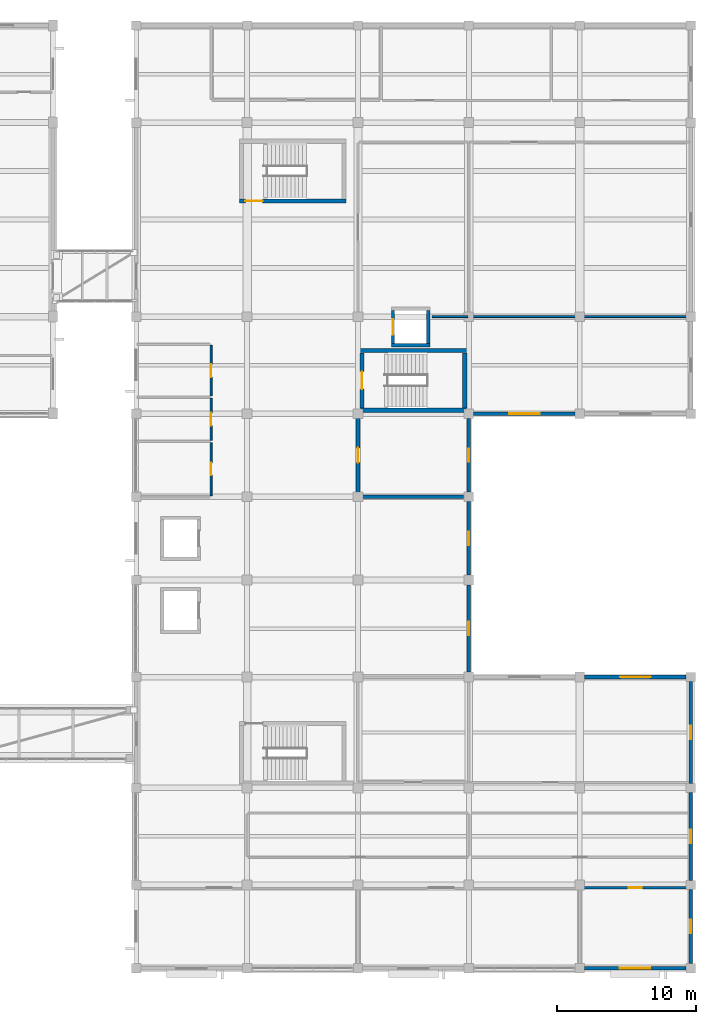
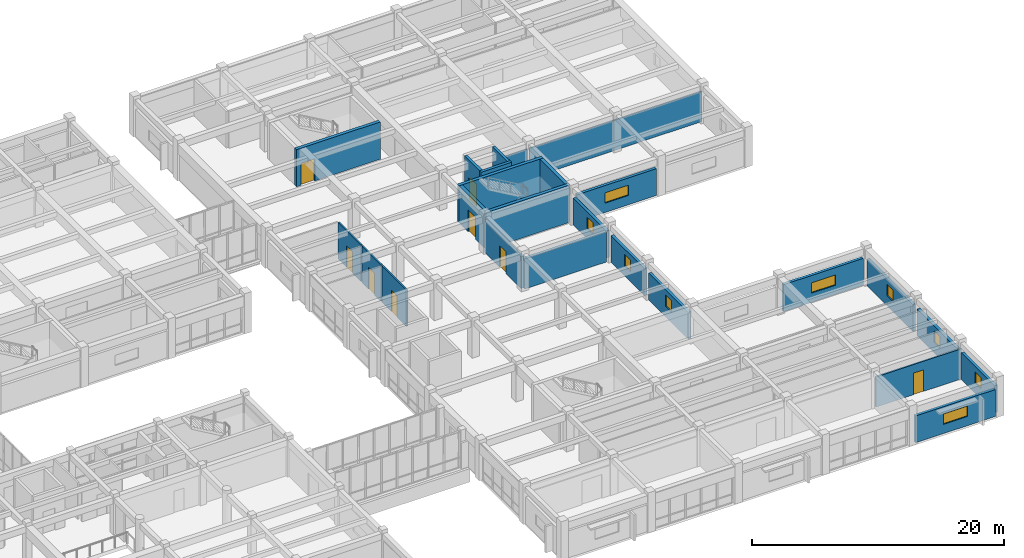
# One storey, part 53 of 66: 25 walls, 9 windows, 8 doors, 17 openings.
"""IFC4 building model written with IfcOpenShell, lengths in metres."""

from ifc_helpers import new_model, si_unit, direction, frame, frame_2d, origin, place, context, subcontext, project, spatial, rectangle, extrude, material, layer, layer_set, type_object, element, fill, save


model = new_model("IFC4")

# Units and contexts
model_context = context("Model", 3, precision=1e-05, world=origin(), true_north=direction((0.0, 1.0)))
body_context = subcontext(model_context, "Body", "Model", "MODEL_VIEW")
ifc_project = project(units=[si_unit("LENGTHUNIT", "METRE"), si_unit("AREAUNIT", "SQUARE_METRE"), si_unit("VOLUMEUNIT", "CUBIC_METRE"), si_unit("PLANEANGLEUNIT", "RADIAN"), si_unit("MASSUNIT", "GRAM", prefix="KILO")], contexts=[model_context])

# Site, building, storey
site_placement = place(None, origin())
site = spatial("IfcSite", under=ifc_project, at=site_placement, CompositionType="ELEMENT")
building_placement = place(site_placement, origin())
building = spatial("IfcBuilding", under=site, at=building_placement, Name="Naurynzar Civic Courthouse", CompositionType="ELEMENT")
storey_placement = place(building_placement, frame((0.0, 0.0, 14.39990234375)))
storey = spatial("IfcBuildingStorey", under=building, at=storey_placement, Name="L04", CompositionType="ELEMENT", Elevation=14.39990234375)

# Walls
ifc_material_1 = material(Name="Acoustic Double-Stud Gypsum Partition")
ifc_layer_1 = layer(ifc_material_1, 0.1298828125)
ifc_layer_set_1 = layer_set([ifc_layer_1], Name="WL-ACOUSTIC-130")
wall_type_1 = type_object("IfcWallType", Name="WL-ACOUSTIC-130", PredefinedType="PARTITIONING", material=ifc_layer_set_1)
wall_1_placement = place(storey_placement, frame((151.35009765625, 51.0, 0.0), z_axis=(0.0, 0.0, 1.0), x_axis=(1.0, 0.0, 0.0)))
element("IfcWall", 1, at=wall_1_placement, inside=storey, type_object=wall_type_1, Name="V5 interior partition L04.489", PredefinedType="PARTITIONING", context=body_context, shape_type="SweptSolid", body=[
    extrude(rectangle(XDim=2.56982421875, YDim=0.1298828125, at=frame_2d((1.284912109375, 0.0))), origin(), (0.0, 0.0, 1.0), 2.93017578125),
])
ifc_material_2 = material(Name="Acoustic Double-Stud Gypsum Partition")
ifc_layer_2 = layer(ifc_material_2, 0.135009765625)
ifc_layer_set_2 = layer_set([ifc_layer_2], Name="WL-ACOUSTIC-135")
wall_type_2 = type_object("IfcWallType", Name="WL-ACOUSTIC-135", PredefinedType="PARTITIONING", material=ifc_layer_set_2)
wall_2_placement = place(storey_placement, frame((154.080078125, 51.0, 0.0), z_axis=(0.0, 0.0, 1.0), x_axis=(1.0, 0.0, 0.0)))
element("IfcWall", 2, at=wall_2_placement, inside=storey, type_object=wall_type_2, Name="V5 interior partition L04.490", PredefinedType="PARTITIONING", context=body_context, shape_type="SweptSolid", body=[
    extrude(rectangle(XDim=15.83984375, YDim=0.135009765625, at=frame_2d((7.919921875, 0.0))), origin(), (0.0, 0.0, 1.0), 2.93017578125),
])

# Wall, opening, door
ifc_material_3 = material(Name="Concrete C40/50", Category="concrete")
ifc_layer_3 = layer(ifc_material_3, 0.300048828125)
ifc_layer_set_3 = layer_set([ifc_layer_3], Name="WL-CORE-300")
wall_type_3 = type_object("IfcWallType", Name="WL-CORE-300", PredefinedType="SHEAR", material=ifc_layer_set_3)
wall_3_placement = place(storey_placement, frame((137.449951171875, 59.35009765625, 0.0), z_axis=(0.0, 0.0, 1.0), x_axis=(1.0, 0.0, 0.0)))
wall_3 = element("IfcWall", 3, at=wall_3_placement, inside=storey, type_object=wall_type_3, Name="Stair ST-V5B enclosure wall south L04", PredefinedType="SHEAR", context=body_context, shape_type="SweptSolid", body=[
    extrude(rectangle(XDim=7.699951171875, YDim=0.300048828125, at=frame_2d((3.85009765625, 0.0))), origin(), (0.0, 0.0, 1.0), 3.6201171875),
])
opening_1_placement = place(wall_3_placement, frame((0.425048828125, 0.0, 0.0)))
opening_1 = element("IfcOpeningElement", 4, at=opening_1_placement, cuts=wall_3, Name="Opening SD-072", PredefinedType="OPENING", context=body_context, shape_type="SweptSolid", body=[
    extrude(rectangle(XDim=1.25, YDim=2.14990234375, at=frame_2d((0.625, 1.074951171875))), frame((0.0, 0.159912109375, 0.0), z_axis=(0.0, -1.0, 0.0), x_axis=(1.0, 0.0, 0.0)), (0.0, 0.0, 1.0), 0.320068359375),
])
ifc_material_4 = material(Name="Powder-Coated Galvanised Steel", Category="steel")
door_type_1 = type_object("IfcDoorType", Name="DR-STAIR-1250x2150", OperationType="NOTDEFINED", PredefinedType="DOOR", material=ifc_material_4)
door_1_placement = place(opening_1_placement, origin())
door_1 = element("IfcDoor", 5, at=door_1_placement, inside=storey, type_object=door_type_1, Name="Stair ST-V5B fire door L04", OperationType="SINGLE_SWING_RIGHT", OverallHeight=2.14990234375, OverallWidth=1.25, PredefinedType="DOOR", context=body_context, shape_type="SweptSolid", body=[
    extrude(rectangle(XDim=1.25, YDim=2.14990234375, at=frame_2d((0.625, 1.074951171875))), frame((0.0, 0.02490234375, 0.0), z_axis=(0.0, -1.0, 0.0), x_axis=(1.0, 0.0, 0.0)), (0.0, 0.0, 1.0), 0.050048828125),
])
fill(opening_1, door_1)

# Walls
for number, where, z_axis, x_axis, name in (
    (6, (153.85009765625, 48.550048828125, 0.0), (0.0, 0.0, 1.0), (-1.0, 0.0, 0.0), "Stair ST-CUS enclosure wall north L04"),
    (7, (146.14990234375, 44.25, 0.0), (0.0, 0.0, 1.0), (1.0, 0.0, 0.0), "Stair ST-CUS enclosure wall south L04"),
):
    element("IfcWall", number, at=place(storey_placement, frame(where, z_axis=z_axis, x_axis=x_axis)), inside=storey, type_object=wall_type_3, Name=name, PredefinedType="SHEAR", context=body_context, shape_type="SweptSolid", body=[
        extrude(rectangle(XDim=7.7001953125, YDim=0.300048828125, at=frame_2d((3.85009765625, 0.0))), origin(), (0.0, 0.0, 1.0), 3.6201171875),
    ])

# Wall, opening, door
wall_4_placement = place(storey_placement, frame((146.300048828125, 48.39501953125, 0.0), z_axis=(0.0, 0.0, 1.0), x_axis=(0.0, -1.0, 0.0)))
wall_4 = element("IfcWall", 8, at=wall_4_placement, inside=storey, type_object=wall_type_3, Name="Stair ST-CUS enclosure wall west L04", PredefinedType="SHEAR", context=body_context, shape_type="SweptSolid", body=[
    extrude(rectangle(XDim=3.989990234375, YDim=0.300048828125, at=frame_2d((1.9951171875, 0.0))), origin(), (0.0, 0.0, 1.0), 3.6201171875),
])
opening_2_placement = place(wall_4_placement, frame((1.3701171875, 0.0, 0.0)))
opening_2 = element("IfcOpeningElement", 9, at=opening_2_placement, cuts=wall_4, Name="Opening SD-081", PredefinedType="OPENING", context=body_context, shape_type="SweptSolid", body=[
    extrude(rectangle(XDim=1.25, YDim=2.14990234375, at=frame_2d((0.625, 1.074951171875))), frame((0.0, 0.159912109375, 0.0), z_axis=(0.0, -1.0, 0.0), x_axis=(1.0, 0.0, 0.0)), (0.0, 0.0, 1.0), 0.320068359375),
])
door_2_placement = place(opening_2_placement, origin())
door_2 = element("IfcDoor", 10, at=door_2_placement, inside=storey, type_object=door_type_1, Name="Stair ST-CUS fire door L04", OperationType="SINGLE_SWING_LEFT", OverallHeight=2.14990234375, OverallWidth=1.25, PredefinedType="DOOR", context=body_context, shape_type="SweptSolid", body=[
    extrude(rectangle(XDim=1.25, YDim=2.14990234375, at=frame_2d((0.625, 1.074951171875))), frame((0.0, 0.02490234375, 0.0), z_axis=(0.0, -1.0, 0.0), x_axis=(1.0, 0.0, 0.0)), (0.0, 0.0, 1.0), 0.050048828125),
])
fill(opening_2, door_2)

# Walls
wall_5_placement = place(storey_placement, frame((153.699951171875, 44.405029296875, 0.0), z_axis=(0.0, 0.0, 1.0), x_axis=(0.0, 1.0, 0.0)))
element("IfcWall", 11, at=wall_5_placement, inside=storey, type_object=wall_type_3, Name="Stair ST-CUS enclosure wall east L04", PredefinedType="SHEAR", context=body_context, shape_type="SweptSolid", body=[
    extrude(rectangle(XDim=3.989990234375, YDim=0.300048828125, at=frame_2d((1.9951171875, 0.0))), origin(), (0.0, 0.0, 1.0), 3.6201171875),
])
ifc_material_5 = material(Name="Concrete C40/50", Category="concrete")
ifc_layer_4 = layer(ifc_material_5, 0.260009765625)
ifc_layer_set_4 = layer_set([ifc_layer_4], Name="WL-CUS-260")
wall_type_4 = type_object("IfcWallType", Name="WL-CUS-260", PredefinedType="SOLIDWALL", material=ifc_layer_set_4)
wall_6_placement = place(storey_placement, frame((146.080078125, 38.0, 0.0), z_axis=(0.0, 0.0, 1.0), x_axis=(1.0, 0.0, 0.0)))
element("IfcWall", 12, at=wall_6_placement, inside=storey, type_object=wall_type_4, Name="V5 interior partition L04.469", PredefinedType="SOLIDWALL", context=body_context, shape_type="SweptSolid", body=[
    extrude(rectangle(XDim=7.52001953125, YDim=0.260009765625, at=frame_2d((3.760009765625, 0.0))), origin(), (0.0, 0.0, 1.0), 2.93017578125),
])

# Wall, opening, door
wall_7_placement = place(storey_placement, frame((146.0, 38.080078125, 0.0), z_axis=(0.0, 0.0, 1.0), x_axis=(0.0, 1.0, 0.0)))
wall_7 = element("IfcWall", 13, at=wall_7_placement, inside=storey, type_object=wall_type_4, Name="V5 interior partition L04.559", PredefinedType="SOLIDWALL", context=body_context, shape_type="SweptSolid", body=[
    extrude(rectangle(XDim=5.83984375, YDim=0.260009765625, at=frame_2d((2.919921875, 0.0))), origin(), (0.0, 0.0, 1.0), 3.080078125),
])
opening_3_placement = place(wall_7_placement, frame((2.3798828125, 0.0, 0.0)))
opening_3 = element("IfcOpeningElement", 14, at=opening_3_placement, cuts=wall_7, Name="Opening D-329", PredefinedType="OPENING", context=body_context, shape_type="SweptSolid", body=[
    extrude(rectangle(XDim=1.080078125, YDim=2.10009765625, at=frame_2d((0.5400390625, 1.050048828125))), frame((0.0, 0.139892578125, 0.0), z_axis=(0.0, -1.0, 0.0), x_axis=(1.0, 0.0, 0.0)), (0.0, 0.0, 1.0), 0.280029296875),
])
ifc_material_6 = material(Name="Powder-Coated Galvanised Steel", Category="steel")
door_type_2 = type_object("IfcDoorType", Name="DR-CUS-CELL-1080x2100", OperationType="NOTDEFINED", PredefinedType="DOOR", material=ifc_material_6)
door_3_placement = place(opening_3_placement, origin())
door_3 = element("IfcDoor", 15, at=door_3_placement, inside=storey, type_object=door_type_2, Name="Interior door D-329 (Custody Suite Courtroom Dock L04)", OperationType="SINGLE_SWING_LEFT", OverallHeight=2.10009765625, OverallWidth=1.080078125, PredefinedType="DOOR", context=body_context, shape_type="SweptSolid", body=[
    extrude(rectangle(XDim=1.080078125, YDim=2.10009765625, at=frame_2d((0.5400390625, 1.050048828125))), frame((0.0, 0.02490234375, 0.0), z_axis=(0.0, -1.0, 0.0), x_axis=(1.0, 0.0, 0.0)), (0.0, 0.0, 1.0), 0.050048828125),
])
fill(opening_3, door_3)

# Wall, opening, window
ifc_material_7 = material(Name="Precast concrete C40/50", Category="concrete")
ifc_layer_5 = layer(ifc_material_7, 0.260009765625)
ifc_layer_set_5 = layer_set([ifc_layer_5], Name="WL-EXT-260")
wall_type_5 = type_object("IfcWallType", Name="WL-EXT-260", PredefinedType="SOLIDWALL", material=ifc_layer_set_5)
wall_8_placement = place(storey_placement, frame((161.64990234375, 44.0, 0.0), z_axis=(0.0, 0.0, 1.0), x_axis=(-1.0, 0.0, 0.0)))
wall_8 = element("IfcWall", 16, at=wall_8_placement, inside=storey, type_object=wall_type_5, Name="V5 exterior wall notch_n L04.2.1", PredefinedType="SOLIDWALL", context=body_context, shape_type="SweptSolid", body=[
    extrude(rectangle(XDim=7.2998046875, YDim=0.260009765625, at=frame_2d((3.64990234375, 0.0))), origin(), (0.0, 0.0, 1.0), 2.610107421875),
])
opening_4_placement = place(wall_8_placement, frame((2.550048828125, 0.0, 0.89990234375)))
opening_4 = element("IfcOpeningElement", 17, at=opening_4_placement, cuts=wall_8, Name="Opening WN-18", PredefinedType="OPENING", context=body_context, shape_type="SweptSolid", body=[
    extrude(rectangle(XDim=2.199951171875, YDim=1.0, at=frame_2d((1.10009765625, 0.5))), frame((0.0, 0.139892578125, 0.0), z_axis=(0.0, -1.0, 0.0), x_axis=(1.0, 0.0, 0.0)), (0.0, 0.0, 1.0), 0.280029296875),
])
ifc_material_8 = material(Name="Tempered Laminated Low-E Glass", Category="glass")
window_type_1 = type_object("IfcWindowType", Name="WIN-CLER-2200x1000", PartitioningType="DOUBLE_PANEL_VERTICAL", PredefinedType="WINDOW", material=ifc_material_8)
window_1_placement = place(opening_4_placement, origin())
window_1 = element("IfcWindow", 18, at=window_1_placement, inside=storey, type_object=window_type_1, Name="V5 window 308 L04", OverallHeight=1.0, OverallWidth=2.199951171875, PartitioningType="SINGLE_PANEL", PredefinedType="WINDOW", context=body_context, shape_type="SweptSolid", body=[
    extrude(rectangle(XDim=2.199951171875, YDim=1.0, at=frame_2d((1.10009765625, 0.5))), frame((0.0, 0.030029296875, 0.0), z_axis=(0.0, -1.0, 0.0), x_axis=(1.0, 0.0, 0.0)), (0.0, 0.0, 1.0), 0.06005859375),
])
fill(opening_4, window_1)

wall_9_placement = place(storey_placement, frame((154.0, 43.64990234375, 0.0), z_axis=(0.0, 0.0, 1.0), x_axis=(0.0, -1.0, 0.0)))
wall_9 = element("IfcWall", 19, at=wall_9_placement, inside=storey, type_object=wall_type_5, Name="V5 exterior wall notch_w L04.1.1", PredefinedType="SOLIDWALL", context=body_context, shape_type="SweptSolid", body=[
    extrude(rectangle(XDim=5.2998046875, YDim=0.260009765625, at=frame_2d((2.64990234375, 0.0))), origin(), (0.0, 0.0, 1.0), 2.610107421875),
])
opening_5_placement = place(wall_9_placement, frame((2.175048828125, 0.0, 1.0)))
opening_5 = element("IfcOpeningElement", 20, at=opening_5_placement, cuts=wall_9, Name="Opening WN-16", PredefinedType="OPENING", context=body_context, shape_type="SweptSolid", body=[
    extrude(rectangle(XDim=0.949951171875, YDim=1.10009765625, at=frame_2d((0.47509765625, 0.550048828125))), frame((0.0, 0.139892578125, 0.0), z_axis=(0.0, -1.0, 0.0), x_axis=(1.0, 0.0, 0.0)), (0.0, 0.0, 1.0), 0.280029296875),
])
ifc_material_9 = material(Name="Tempered Laminated Low-E Glass", Category="glass")
window_type_2 = type_object("IfcWindowType", Name="WIN-SEC-950x1100", PartitioningType="SINGLE_PANEL", PredefinedType="WINDOW", material=ifc_material_9)
window_2_placement = place(opening_5_placement, origin())
window_2 = element("IfcWindow", 21, at=window_2_placement, inside=storey, type_object=window_type_2, Name="V5 window 309 L04", OverallHeight=1.10009765625, OverallWidth=0.949951171875, PartitioningType="SINGLE_PANEL", PredefinedType="WINDOW", context=body_context, shape_type="SweptSolid", body=[
    extrude(rectangle(XDim=0.949951171875, YDim=1.10009765625, at=frame_2d((0.47509765625, 0.550048828125))), frame((0.0, 0.030029296875, 0.0), z_axis=(0.0, -1.0, 0.0), x_axis=(1.0, 0.0, 0.0)), (0.0, 0.0, 1.0), 0.06005859375),
])
fill(opening_5, window_2)

wall_10_placement = place(storey_placement, frame((154.0, 37.64990234375, 0.0), z_axis=(0.0, 0.0, 1.0), x_axis=(0.0, -1.0, 0.0)))
wall_10 = element("IfcWall", 22, at=wall_10_placement, inside=storey, type_object=wall_type_5, Name="V5 exterior wall notch_w L04.2.1", PredefinedType="SOLIDWALL", context=body_context, shape_type="SweptSolid", body=[
    extrude(rectangle(XDim=5.2998046875, YDim=0.260009765625, at=frame_2d((2.64990234375, 0.0))), origin(), (0.0, 0.0, 1.0), 2.610107421875),
])
opening_6_placement = place(wall_10_placement, frame((2.175048828125, 0.0, 1.0)))
opening_6 = element("IfcOpeningElement", 23, at=opening_6_placement, cuts=wall_10, Name="Opening WN-16", PredefinedType="OPENING", context=body_context, shape_type="SweptSolid", body=[
    extrude(rectangle(XDim=0.949951171875, YDim=1.10009765625, at=frame_2d((0.47509765625, 0.550048828125))), frame((0.0, 0.139892578125, 0.0), z_axis=(0.0, -1.0, 0.0), x_axis=(1.0, 0.0, 0.0)), (0.0, 0.0, 1.0), 0.280029296875),
])
window_3_placement = place(opening_6_placement, origin())
window_3 = element("IfcWindow", 24, at=window_3_placement, inside=storey, type_object=window_type_2, Name="V5 window 310 L04", OverallHeight=1.10009765625, OverallWidth=0.949951171875, PartitioningType="SINGLE_PANEL", PredefinedType="WINDOW", context=body_context, shape_type="SweptSolid", body=[
    extrude(rectangle(XDim=0.949951171875, YDim=1.10009765625, at=frame_2d((0.47509765625, 0.550048828125))), frame((0.0, 0.030029296875, 0.0), z_axis=(0.0, -1.0, 0.0), x_axis=(1.0, 0.0, 0.0)), (0.0, 0.0, 1.0), 0.06005859375),
])
fill(opening_6, window_3)

wall_11_placement = place(storey_placement, frame((154.0, 31.64990234375, 0.0), z_axis=(0.0, 0.0, 1.0), x_axis=(0.0, -1.0, 0.0)))
wall_11 = element("IfcWall", 25, at=wall_11_placement, inside=storey, type_object=wall_type_5, Name="V5 exterior wall notch_w L04.3.1", PredefinedType="SOLIDWALL", context=body_context, shape_type="SweptSolid", body=[
    extrude(rectangle(XDim=6.2998046875, YDim=0.260009765625, at=frame_2d((3.14990234375, 0.0))), origin(), (0.0, 0.0, 1.0), 2.610107421875),
])
opening_7_placement = place(wall_11_placement, frame((2.675048828125, 0.0, 1.0)))
opening_7 = element("IfcOpeningElement", 26, at=opening_7_placement, cuts=wall_11, Name="Opening WN-16", PredefinedType="OPENING", context=body_context, shape_type="SweptSolid", body=[
    extrude(rectangle(XDim=0.949951171875, YDim=1.10009765625, at=frame_2d((0.47509765625, 0.550048828125))), frame((0.0, 0.139892578125, 0.0), z_axis=(0.0, -1.0, 0.0), x_axis=(1.0, 0.0, 0.0)), (0.0, 0.0, 1.0), 0.280029296875),
])
window_4_placement = place(opening_7_placement, origin())
window_4 = element("IfcWindow", 27, at=window_4_placement, inside=storey, type_object=window_type_2, Name="V5 window 311 L04", OverallHeight=1.10009765625, OverallWidth=0.949951171875, PartitioningType="SINGLE_PANEL", PredefinedType="WINDOW", context=body_context, shape_type="SweptSolid", body=[
    extrude(rectangle(XDim=0.949951171875, YDim=1.10009765625, at=frame_2d((0.47509765625, 0.550048828125))), frame((0.0, 0.030029296875, 0.0), z_axis=(0.0, -1.0, 0.0), x_axis=(1.0, 0.0, 0.0)), (0.0, 0.0, 1.0), 0.06005859375),
])
fill(opening_7, window_4)

wall_12_placement = place(storey_placement, frame((162.35009765625, 25.0, 0.0), z_axis=(0.0, 0.0, 1.0), x_axis=(1.0, 0.0, 0.0)))
wall_12 = element("IfcWall", 28, at=wall_12_placement, inside=storey, type_object=wall_type_5, Name="V5 exterior wall notch_s L04.2.1", PredefinedType="SOLIDWALL", context=body_context, shape_type="SweptSolid", body=[
    extrude(rectangle(XDim=7.3125, YDim=0.260009765625, at=frame_2d((3.65625, 0.0))), origin(), (0.0, 0.0, 1.0), 2.610107421875),
])
opening_8_placement = place(wall_12_placement, frame((2.55615234375, 0.0, 0.89990234375)))
opening_8 = element("IfcOpeningElement", 29, at=opening_8_placement, cuts=wall_12, Name="Opening WN-18", PredefinedType="OPENING", context=body_context, shape_type="SweptSolid", body=[
    extrude(rectangle(XDim=2.199951171875, YDim=1.0, at=frame_2d((1.10009765625, 0.5))), frame((0.0, 0.139892578125, 0.0), z_axis=(0.0, -1.0, 0.0), x_axis=(1.0, 0.0, 0.0)), (0.0, 0.0, 1.0), 0.280029296875),
])
window_5_placement = place(opening_8_placement, origin())
window_5 = element("IfcWindow", 30, at=window_5_placement, inside=storey, type_object=window_type_1, Name="V5 window 313 L04", OverallHeight=1.0, OverallWidth=2.199951171875, PartitioningType="SINGLE_PANEL", PredefinedType="WINDOW", context=body_context, shape_type="SweptSolid", body=[
    extrude(rectangle(XDim=2.199951171875, YDim=1.0, at=frame_2d((1.10009765625, 0.5))), frame((0.0, 0.030029296875, 0.0), z_axis=(0.0, -1.0, 0.0), x_axis=(1.0, 0.0, 0.0)), (0.0, 0.0, 1.0), 0.06005859375),
])
fill(opening_8, window_5)

wall_13_placement = place(storey_placement, frame((170.0, 24.66259765625, 0.0), z_axis=(0.0, 0.0, 1.0), x_axis=(0.0, -1.0, 0.0)))
wall_13 = element("IfcWall", 31, at=wall_13_placement, inside=storey, type_object=wall_type_5, Name="V5 exterior wall east_south L04.1.1", PredefinedType="SOLIDWALL", context=body_context, shape_type="SweptSolid", body=[
    extrude(rectangle(XDim=7.3251953125, YDim=0.260009765625, at=frame_2d((3.66259765625, 0.0))), origin(), (0.0, 0.0, 1.0), 2.610107421875),
])
opening_9_placement = place(wall_13_placement, frame((3.1875, 0.0, 1.0)))
opening_9 = element("IfcOpeningElement", 32, at=opening_9_placement, cuts=wall_13, Name="Opening WN-16", PredefinedType="OPENING", context=body_context, shape_type="SweptSolid", body=[
    extrude(rectangle(XDim=0.949951171875, YDim=1.10009765625, at=frame_2d((0.47509765625, 0.550048828125))), frame((0.0, 0.139892578125, 0.0), z_axis=(0.0, -1.0, 0.0), x_axis=(1.0, 0.0, 0.0)), (0.0, 0.0, 1.0), 0.280029296875),
])
window_6_placement = place(opening_9_placement, origin())
window_6 = element("IfcWindow", 33, at=window_6_placement, inside=storey, type_object=window_type_2, Name="V5 window 314 L04", OverallHeight=1.10009765625, OverallWidth=0.949951171875, PartitioningType="SINGLE_PANEL", PredefinedType="WINDOW", context=body_context, shape_type="SweptSolid", body=[
    extrude(rectangle(XDim=0.949951171875, YDim=1.10009765625, at=frame_2d((0.47509765625, 0.550048828125))), frame((0.0, 0.030029296875, 0.0), z_axis=(0.0, -1.0, 0.0), x_axis=(1.0, 0.0, 0.0)), (0.0, 0.0, 1.0), 0.06005859375),
])
fill(opening_9, window_6)

wall_14_placement = place(storey_placement, frame((170.0, 16.66259765625, 0.0), z_axis=(0.0, 0.0, 1.0), x_axis=(0.0, -1.0, 0.0)))
wall_14 = element("IfcWall", 34, at=wall_14_placement, inside=storey, type_object=wall_type_5, Name="V5 exterior wall east_south L04.2.1", PredefinedType="SOLIDWALL", context=body_context, shape_type="SweptSolid", body=[
    extrude(rectangle(XDim=6.3251953125, YDim=0.260009765625, at=frame_2d((3.16259765625, 0.0))), origin(), (0.0, 0.0, 1.0), 2.610107421875),
])
opening_10_placement = place(wall_14_placement, frame((2.6875, 0.0, 1.0)))
opening_10 = element("IfcOpeningElement", 35, at=opening_10_placement, cuts=wall_14, Name="Opening WN-16", PredefinedType="OPENING", context=body_context, shape_type="SweptSolid", body=[
    extrude(rectangle(XDim=0.949951171875, YDim=1.10009765625, at=frame_2d((0.47509765625, 0.550048828125))), frame((0.0, 0.139892578125, 0.0), z_axis=(0.0, -1.0, 0.0), x_axis=(1.0, 0.0, 0.0)), (0.0, 0.0, 1.0), 0.280029296875),
])
window_7_placement = place(opening_10_placement, origin())
window_7 = element("IfcWindow", 36, at=window_7_placement, inside=storey, type_object=window_type_2, Name="V5 window 315 L04", OverallHeight=1.10009765625, OverallWidth=0.949951171875, PartitioningType="SINGLE_PANEL", PredefinedType="WINDOW", context=body_context, shape_type="SweptSolid", body=[
    extrude(rectangle(XDim=0.949951171875, YDim=1.10009765625, at=frame_2d((0.47509765625, 0.550048828125))), frame((0.0, 0.030029296875, 0.0), z_axis=(0.0, -1.0, 0.0), x_axis=(1.0, 0.0, 0.0)), (0.0, 0.0, 1.0), 0.06005859375),
])
fill(opening_10, window_7)

wall_15_placement = place(storey_placement, frame((170.0, 9.66259765625, 0.0), z_axis=(0.0, 0.0, 1.0), x_axis=(0.0, -1.0, 0.0)))
wall_15 = element("IfcWall", 37, at=wall_15_placement, inside=storey, type_object=wall_type_5, Name="V5 exterior wall east_south L04.3.1", PredefinedType="SOLIDWALL", context=body_context, shape_type="SweptSolid", body=[
    extrude(rectangle(XDim=5.3251953125, YDim=0.260009765625, at=frame_2d((2.66259765625, 0.0))), origin(), (0.0, 0.0, 1.0), 2.610107421875),
])
opening_11_placement = place(wall_15_placement, frame((2.1875, 0.0, 1.0)))
opening_11 = element("IfcOpeningElement", 38, at=opening_11_placement, cuts=wall_15, Name="Opening WN-16", PredefinedType="OPENING", context=body_context, shape_type="SweptSolid", body=[
    extrude(rectangle(XDim=0.949951171875, YDim=1.10009765625, at=frame_2d((0.47509765625, 0.550048828125))), frame((0.0, 0.139892578125, 0.0), z_axis=(0.0, -1.0, 0.0), x_axis=(1.0, 0.0, 0.0)), (0.0, 0.0, 1.0), 0.280029296875),
])
window_8_placement = place(opening_11_placement, origin())
window_8 = element("IfcWindow", 39, at=window_8_placement, inside=storey, type_object=window_type_2, Name="V5 window 316 L04", OverallHeight=1.10009765625, OverallWidth=0.949951171875, PartitioningType="SINGLE_PANEL", PredefinedType="WINDOW", context=body_context, shape_type="SweptSolid", body=[
    extrude(rectangle(XDim=0.949951171875, YDim=1.10009765625, at=frame_2d((0.47509765625, 0.550048828125))), frame((0.0, 0.030029296875, 0.0), z_axis=(0.0, -1.0, 0.0), x_axis=(1.0, 0.0, 0.0)), (0.0, 0.0, 1.0), 0.06005859375),
])
fill(opening_11, window_8)

wall_16_placement = place(storey_placement, frame((169.66259765625, 4.0, 0.0), z_axis=(0.0, 0.0, 1.0), x_axis=(-1.0, 0.0, 0.0)))
wall_16 = element("IfcWall", 40, at=wall_16_placement, inside=storey, type_object=wall_type_5, Name="V5 exterior wall south L04.1.1", PredefinedType="SOLIDWALL", context=body_context, shape_type="SweptSolid", body=[
    extrude(rectangle(XDim=7.3251953125, YDim=0.260009765625, at=frame_2d((3.66259765625, 0.0))), origin(), (0.0, 0.0, 1.0), 2.610107421875),
])
opening_12_placement = place(wall_16_placement, frame((2.5625, 0.0, 0.89990234375)))
opening_12 = element("IfcOpeningElement", 41, at=opening_12_placement, cuts=wall_16, Name="Opening WN-18", PredefinedType="OPENING", context=body_context, shape_type="SweptSolid", body=[
    extrude(rectangle(XDim=2.199951171875, YDim=1.0, at=frame_2d((1.10009765625, 0.5))), frame((0.0, 0.139892578125, 0.0), z_axis=(0.0, -1.0, 0.0), x_axis=(1.0, 0.0, 0.0)), (0.0, 0.0, 1.0), 0.280029296875),
])
window_9_placement = place(opening_12_placement, origin())
window_9 = element("IfcWindow", 42, at=window_9_placement, inside=storey, type_object=window_type_1, Name="V5 window 317 L04", OverallHeight=1.0, OverallWidth=2.199951171875, PartitioningType="SINGLE_PANEL", PredefinedType="WINDOW", context=body_context, shape_type="SweptSolid", body=[
    extrude(rectangle(XDim=2.199951171875, YDim=1.0, at=frame_2d((1.10009765625, 0.5))), frame((0.0, 0.030029296875, 0.0), z_axis=(0.0, -1.0, 0.0), x_axis=(1.0, 0.0, 0.0)), (0.0, 0.0, 1.0), 0.06005859375),
])
fill(opening_12, window_9)

# Wall, opening, door
ifc_material_10 = material(Name="Fire-Rated Corridor Gypsum Partition")
ifc_layer_6 = layer(ifc_material_10, 0.14990234375)
ifc_layer_set_6 = layer_set([ifc_layer_6], Name="WL-PART-CORR-150")
wall_type_6 = type_object("IfcWallType", Name="WL-PART-CORR-150", PredefinedType="PARTITIONING", material=ifc_layer_set_6)
wall_17_placement = place(storey_placement, frame((162.080078125, 9.800048828125, 0.0), z_axis=(0.0, 0.0, 1.0), x_axis=(1.0, 0.0, 0.0)))
wall_17 = element("IfcWall", 43, at=wall_17_placement, inside=storey, type_object=wall_type_6, Name="V5 interior partition L04.443", PredefinedType="PARTITIONING", context=body_context, shape_type="SweptSolid", body=[
    extrude(rectangle(XDim=7.83984375, YDim=0.14990234375, at=frame_2d((3.919921875, 0.0))), origin(), (0.0, 0.0, 1.0), 2.93017578125),
])
opening_13_placement = place(wall_17_placement, frame((3.449951171875, 0.0, 0.0)))
opening_13 = element("IfcOpeningElement", 44, at=opening_13_placement, cuts=wall_17, Name="Opening D-324", PredefinedType="OPENING", context=body_context, shape_type="SweptSolid", body=[
    extrude(rectangle(XDim=0.93994140625, YDim=2.10009765625, at=frame_2d((0.469970703125, 1.050048828125))), frame((0.0, 0.0849609375, 0.0), z_axis=(0.0, -1.0, 0.0), x_axis=(1.0, 0.0, 0.0)), (0.0, 0.0, 1.0), 0.169921875),
])
ifc_material_11 = material(Name="Acoustic Oak Timber Grade A", Category="wood")
door_type_3 = type_object("IfcDoorType", Name="DR-SUITE-940x2100", OperationType="NOTDEFINED", PredefinedType="DOOR", material=ifc_material_11)
door_4_placement = place(opening_13_placement, origin())
door_4 = element("IfcDoor", 45, at=door_4_placement, inside=storey, type_object=door_type_3, Name="Interior door D-324 (Counsel Consultation Room L04-SE)", OperationType="SINGLE_SWING_RIGHT", OverallHeight=2.10009765625, OverallWidth=0.93994140625, PredefinedType="DOOR", context=body_context, shape_type="SweptSolid", body=[
    extrude(rectangle(XDim=0.93994140625, YDim=2.10009765625, at=frame_2d((0.469970703125, 1.050048828125))), frame((0.0, 0.02490234375, 0.0), z_axis=(0.0, -1.0, 0.0), x_axis=(1.0, 0.0, 0.0)), (0.0, 0.0, 1.0), 0.050048828125),
])
fill(opening_13, door_4)

ifc_material_12 = material(Name="Moisture-Resistant Plumbing Partition")
ifc_layer_7 = layer(ifc_material_12, 0.139892578125)
ifc_layer_set_7 = layer_set([ifc_layer_7], Name="WL-PART-WC-140")
wall_type_7 = type_object("IfcWallType", Name="WL-PART-WC-140", PredefinedType="PLUMBINGWALL", material=ifc_layer_set_7)
wall_18_placement = place(storey_placement, frame((135.39990234375, 38.080078125, 0.0), z_axis=(0.0, 0.0, 1.0), x_axis=(0.0, 1.0, 0.0)))
wall_18 = element("IfcWall", 46, at=wall_18_placement, inside=storey, type_object=wall_type_7, Name="V5 interior partition L04.552", PredefinedType="PLUMBINGWALL", context=body_context, shape_type="SweptSolid", body=[
    extrude(rectangle(XDim=3.83984375, YDim=0.139892578125, at=frame_2d((1.919921875, 0.0))), origin(), (0.0, 0.0, 1.0), 3.5400390625),
])
opening_14_placement = place(wall_18_placement, frame((1.4599609375, 0.0, 0.0)))
opening_14 = element("IfcOpeningElement", 47, at=opening_14_placement, cuts=wall_18, Name="Opening D-319", PredefinedType="OPENING", context=body_context, shape_type="SweptSolid", body=[
    extrude(rectangle(XDim=0.919921875, YDim=2.10009765625, at=frame_2d((0.4599609375, 1.050048828125))), frame((0.0, 0.079833984375, 0.0), z_axis=(0.0, -1.0, 0.0), x_axis=(1.0, 0.0, 0.0)), (0.0, 0.0, 1.0), 0.159912109375),
])
ifc_material_13 = material(Name="Acoustic Oak Timber Grade A", Category="wood")
door_type_4 = type_object("IfcDoorType", Name="DR-WC-STD-920x2100", OperationType="NOTDEFINED", PredefinedType="DOOR", material=ifc_material_13)
door_5_placement = place(opening_14_placement, origin())
door_5 = element("IfcDoor", 48, at=door_5_placement, inside=storey, type_object=door_type_4, Name="Interior door D-319 (Public WC V5)", OperationType="SINGLE_SWING_LEFT", OverallHeight=2.10009765625, OverallWidth=0.919921875, PredefinedType="DOOR", context=body_context, shape_type="SweptSolid", body=[
    extrude(rectangle(XDim=0.919921875, YDim=2.10009765625, at=frame_2d((0.4599609375, 1.050048828125))), frame((0.0, 0.02490234375, 0.0), z_axis=(0.0, -1.0, 0.0), x_axis=(1.0, 0.0, 0.0)), (0.0, 0.0, 1.0), 0.050048828125),
])
fill(opening_14, door_5)

wall_19_placement = place(storey_placement, frame((135.39990234375, 42.080078125, 0.0), z_axis=(0.0, 0.0, 1.0), x_axis=(0.0, 1.0, 0.0)))
wall_19 = element("IfcWall", 49, at=wall_19_placement, inside=storey, type_object=wall_type_7, Name="V5 interior partition L04.553", PredefinedType="PLUMBINGWALL", context=body_context, shape_type="SweptSolid", body=[
    extrude(rectangle(XDim=3.0400390625, YDim=0.139892578125, at=frame_2d((1.52001953125, 0.0))), origin(), (0.0, 0.0, 1.0), 3.5400390625),
])
opening_15_placement = place(wall_19_placement, frame((1.0400390625, 0.0, 0.0)))
opening_15 = element("IfcOpeningElement", 50, at=opening_15_placement, cuts=wall_19, Name="Opening D-320", PredefinedType="OPENING", context=body_context, shape_type="SweptSolid", body=[
    extrude(rectangle(XDim=0.9599609375, YDim=2.10009765625, at=frame_2d((0.47998046875, 1.050048828125))), frame((0.0, 0.079833984375, 0.0), z_axis=(0.0, -1.0, 0.0), x_axis=(1.0, 0.0, 0.0)), (0.0, 0.0, 1.0), 0.159912109375),
])
ifc_material_14 = material(Name="Acoustic Oak Timber Grade A", Category="wood")
door_type_5 = type_object("IfcDoorType", Name="DR-WC-ACC-960x2100", OperationType="NOTDEFINED", PredefinedType="DOOR", material=ifc_material_14)
door_6_placement = place(opening_15_placement, origin())
door_6 = element("IfcDoor", 51, at=door_6_placement, inside=storey, type_object=door_type_5, Name="Interior door D-320 (Accessible WC V5)", OperationType="SINGLE_SWING_RIGHT", OverallHeight=2.10009765625, OverallWidth=0.9599609375, PredefinedType="DOOR", context=body_context, shape_type="SweptSolid", body=[
    extrude(rectangle(XDim=0.9599609375, YDim=2.10009765625, at=frame_2d((0.47998046875, 1.050048828125))), frame((0.0, 0.02490234375, 0.0), z_axis=(0.0, -1.0, 0.0), x_axis=(1.0, 0.0, 0.0)), (0.0, 0.0, 1.0), 0.050048828125),
])
fill(opening_15, door_6)

wall_20_placement = place(storey_placement, frame((135.39990234375, 45.280029296875, 0.0), z_axis=(0.0, 0.0, 1.0), x_axis=(0.0, 1.0, 0.0)))
wall_20 = element("IfcWall", 52, at=wall_20_placement, inside=storey, type_object=wall_type_7, Name="V5 interior partition L04.554", PredefinedType="PLUMBINGWALL", context=body_context, shape_type="SweptSolid", body=[
    extrude(rectangle(XDim=3.639892578125, YDim=0.139892578125, at=frame_2d((1.81982421875, 0.0))), origin(), (0.0, 0.0, 1.0), 3.5400390625),
])
opening_16_placement = place(wall_20_placement, frame((1.360107421875, 0.0, 0.0)))
opening_16 = element("IfcOpeningElement", 53, at=opening_16_placement, cuts=wall_20, Name="Opening D-321", PredefinedType="OPENING", context=body_context, shape_type="SweptSolid", body=[
    extrude(rectangle(XDim=0.919921875, YDim=2.10009765625, at=frame_2d((0.4599609375, 1.050048828125))), frame((0.0, 0.079833984375, 0.0), z_axis=(0.0, -1.0, 0.0), x_axis=(1.0, 0.0, 0.0)), (0.0, 0.0, 1.0), 0.159912109375),
])
door_7_placement = place(opening_16_placement, origin())
door_7 = element("IfcDoor", 54, at=door_7_placement, inside=storey, type_object=door_type_4, Name="Interior door D-321 (Staff WC V5)", OperationType="SINGLE_SWING_LEFT", OverallHeight=2.10009765625, OverallWidth=0.919921875, PredefinedType="DOOR", context=body_context, shape_type="SweptSolid", body=[
    extrude(rectangle(XDim=0.919921875, YDim=2.10009765625, at=frame_2d((0.4599609375, 1.050048828125))), frame((0.0, 0.02490234375, 0.0), z_axis=(0.0, -1.0, 0.0), x_axis=(1.0, 0.0, 0.0)), (0.0, 0.0, 1.0), 0.050048828125),
])
fill(opening_16, door_7)

# Wall
ifc_material_15 = material(Name="Concrete C40/50", Category="concrete")
ifc_layer_8 = layer(ifc_material_15, 0.25)
ifc_layer_set_8 = layer_set([ifc_layer_8], Name="WL-SHAFT-250")
wall_type_8 = type_object("IfcWallType", Name="WL-SHAFT-250", PredefinedType="SHEAR", material=ifc_layer_set_8)
wall_21_placement = place(storey_placement, frame((148.39990234375, 48.925048828125, 0.0), z_axis=(0.0, 0.0, 1.0), x_axis=(1.0, 0.0, 0.0)))
element("IfcWall", 55, at=wall_21_placement, inside=storey, type_object=wall_type_8, Name="Lift LF-CUS shaft wall south L04", PredefinedType="SHEAR", context=body_context, shape_type="SweptSolid", body=[
    extrude(rectangle(XDim=2.800048828125, YDim=0.25, at=frame_2d((1.39990234375, 0.0))), origin(), (0.0, 0.0, 1.0), 3.900146484375),
])

# Wall, opening, door
wall_22_placement = place(storey_placement, frame((148.52490234375, 51.445068359375, 0.0), z_axis=(0.0, 0.0, 1.0), x_axis=(0.0, -1.0, 0.0)))
wall_22 = element("IfcWall", 56, at=wall_22_placement, inside=storey, type_object=wall_type_8, Name="Lift LF-CUS shaft wall west L04", PredefinedType="SHEAR", context=body_context, shape_type="SweptSolid", body=[
    extrude(rectangle(XDim=2.39013671875, YDim=0.25, at=frame_2d((1.195068359375, 0.0))), origin(), (0.0, 0.0, 1.0), 3.900146484375),
])
opening_17_placement = place(wall_22_placement, frame((0.64501953125, 0.0, 0.0)))
opening_17 = element("IfcOpeningElement", 57, at=opening_17_placement, cuts=wall_22, Name="Opening LD-090", PredefinedType="OPENING", context=body_context, shape_type="SweptSolid", body=[
    extrude(rectangle(XDim=1.10009765625, YDim=2.14990234375, at=frame_2d((0.550048828125, 1.074951171875))), frame((0.0, 0.135009765625, 0.0), z_axis=(0.0, -1.0, 0.0), x_axis=(1.0, 0.0, 0.0)), (0.0, 0.0, 1.0), 0.27001953125),
])
ifc_material_16 = material(Name="Brushed Stainless Steel 304", Category="steel")
door_type_6 = type_object("IfcDoorType", Name="DR-LIFT-SLIDE-1100x2150", OperationType="DOUBLE_DOOR_SLIDING", PredefinedType="DOOR", material=ifc_material_16)
door_8_placement = place(opening_17_placement, origin())
door_8 = element("IfcDoor", 58, at=door_8_placement, inside=storey, type_object=door_type_6, Name="Lift LF-CUS sliding landing door L04", OperationType="DOUBLE_DOOR_SLIDING", OverallHeight=2.14990234375, OverallWidth=1.10009765625, PredefinedType="DOOR", context=body_context, shape_type="SweptSolid", body=[
    extrude(rectangle(XDim=1.10009765625, YDim=2.14990234375, at=frame_2d((0.550048828125, 1.074951171875))), frame((0.0, 0.02490234375, 0.0), z_axis=(0.0, -1.0, 0.0), x_axis=(1.0, 0.0, 0.0)), (0.0, 0.0, 1.0), 0.050048828125),
])
fill(opening_17, door_8)

# Wall
wall_23_placement = place(storey_placement, frame((151.074951171875, 49.054931640625, 0.0), z_axis=(0.0, 0.0, 1.0), x_axis=(0.0, 1.0, 0.0)))
element("IfcWall", 59, at=wall_23_placement, inside=storey, type_object=wall_type_8, Name="Lift LF-CUS shaft wall east L04", PredefinedType="SHEAR", context=body_context, shape_type="SweptSolid", body=[
    extrude(rectangle(XDim=2.39013671875, YDim=0.25, at=frame_2d((1.195068359375, 0.0))), origin(), (0.0, 0.0, 1.0), 3.900146484375),
])

save(model, "model.ifc")
